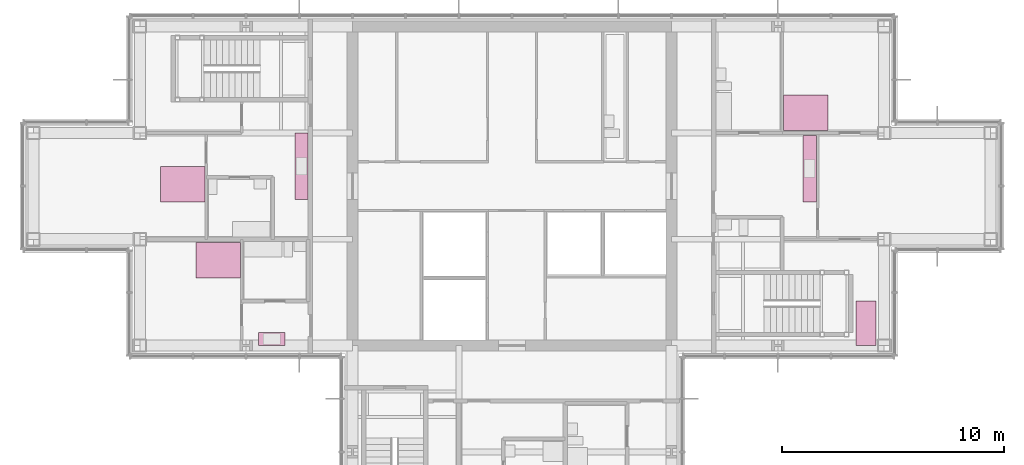
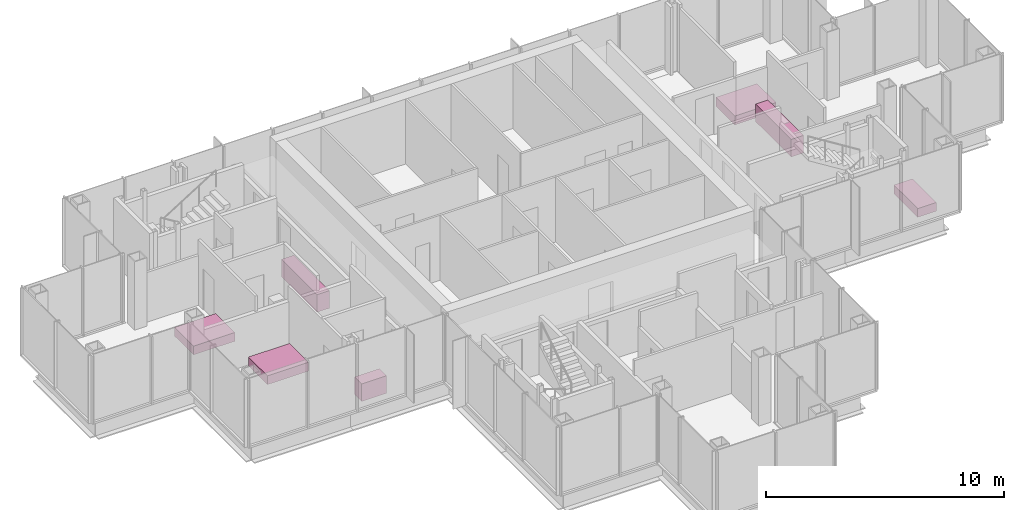
# One storey, part 15 of 15: 7 furniture elements.
"""IFC4 building model written with IfcOpenShell, lengths in metres."""

from ifc_helpers import new_model, si_unit, direction, frame, origin, origin_2d, place, context, subcontext, project, spatial, rectangle, extrude, material, type_object, element, save


model = new_model("IFC4")

# Units and contexts
model_context = context("Model", 3, precision=1e-05, world=origin(), true_north=direction((0.0, 1.0)))
body_context = subcontext(model_context, "Body", "Model", "MODEL_VIEW")
ifc_project = project(units=[si_unit("LENGTHUNIT", "METRE"), si_unit("AREAUNIT", "SQUARE_METRE"), si_unit("VOLUMEUNIT", "CUBIC_METRE"), si_unit("PLANEANGLEUNIT", "RADIAN"), si_unit("MASSUNIT", "GRAM", prefix="KILO")], contexts=[model_context])

# Site, building, storey
site_placement = place(None, origin())
site = spatial("IfcSite", under=ifc_project, at=site_placement, CompositionType="ELEMENT")
building_placement = place(site_placement, origin())
building = spatial("IfcBuilding", under=site, at=building_placement, Name="Kvirike Care Tower", CompositionType="ELEMENT")
storey_placement = place(building_placement, frame((0.0, 0.0, 212.0)))
storey = spatial("IfcBuildingStorey", under=building, at=storey_placement, Name="L58", CompositionType="ELEMENT", Elevation=212.0)

# Furniture
ifc_material_1 = material(Name="Timber", Category="wood")
furniture_type_1 = type_object("IfcFurnitureType", Name="DOUBLE BED 1600 x 2000", AssemblyPlace="FACTORY", PredefinedType="BED", material=ifc_material_1)
for number, where, z_axis, x_axis, name in (
    (1, (6.738037109375, 36.090087890625, 0.0), (0.0, 0.0, 1.0), (0.0, -1.0, 0.0), "Double bed L58-004"),
    (2, (8.337890625, 32.64990234375, 0.0), (0.0, 0.0, 1.0), (0.0, -1.0, 0.0), "Double bed L58-007"),
    (3, (34.862060546875, 39.31005859375, 0.0), (0.0, 0.0, 1.0), (0.0, 1.0, 0.0), "Double bed L58-023"),
):
    element("IfcFurniture", number, at=place(storey_placement, frame(where, z_axis=z_axis, x_axis=x_axis)), inside=storey, type_object=furniture_type_1, Name=name, PredefinedType="BED", context=body_context, shape_type="SweptSolid", body=[
        extrude(rectangle(XDim=1.60009765625, YDim=2.0, at=origin_2d()), origin(), (0.0, 0.0, 1.0), 0.449951171875),
    ])
ifc_material_2 = material(Name="Laminated board", Category="wood")
furniture_type_2 = type_object("IfcFurnitureType", Name="KITCHEN UNIT RUN 600", AssemblyPlace="FACTORY", PredefinedType="USERDEFINED", material=ifc_material_2)
furniture_1_placement = place(storey_placement, frame((12.097900390625, 36.89990234375, 0.0), z_axis=(0.0, 0.0, 1.0), x_axis=(0.0, -1.0, 0.0)))
element("IfcFurniture", 4, at=furniture_1_placement, inside=storey, type_object=furniture_type_2, Name="Kitchen unit run L58-006", ObjectType="KITCHEN UNIT", PredefinedType="USERDEFINED", context=body_context, shape_type="SweptSolid", body=[
    extrude(rectangle(XDim=3.0, YDim=0.60009765625, at=origin_2d()), origin(), (0.0, 0.0, 1.0), 0.89990234375),
])
furniture_2_placement = place(storey_placement, frame((10.75, 29.10205078125, 0.0), z_axis=(0.0, 0.0, 1.0), x_axis=(-1.0, 0.0, 0.0)))
element("IfcFurniture", 5, at=furniture_2_placement, inside=storey, type_object=furniture_type_2, Name="Kitchen unit run L58-009", ObjectType="KITCHEN UNIT", PredefinedType="USERDEFINED", context=body_context, shape_type="SweptSolid", body=[
    extrude(rectangle(XDim=1.199951171875, YDim=0.60009765625, at=origin_2d()), origin(), (0.0, 0.0, 1.0), 0.89990234375),
])
furniture_3_placement = place(storey_placement, frame((35.0380859375, 36.7900390625, 0.0), z_axis=(0.0, 0.0, 1.0), x_axis=(0.0, -1.0, 0.0)))
element("IfcFurniture", 6, at=furniture_3_placement, inside=storey, type_object=furniture_type_2, Name="Kitchen unit run L58-026", ObjectType="KITCHEN UNIT", PredefinedType="USERDEFINED", context=body_context, shape_type="SweptSolid", body=[
    extrude(rectangle(XDim=3.0, YDim=0.60009765625, at=origin_2d()), origin(), (0.0, 0.0, 1.0), 0.89990234375),
])
ifc_material_3 = material(Name="Timber", Category="wood")
furniture_type_3 = type_object("IfcFurnitureType", Name="SINGLE BED 900 x 2000", AssemblyPlace="FACTORY", PredefinedType="BED", material=ifc_material_3)
furniture_4_placement = place(storey_placement, frame((37.580078125, 29.802001953125, 0.0), z_axis=(0.0, 0.0, 1.0), x_axis=(-1.0, 0.0, 0.0)))
element("IfcFurniture", 7, at=furniture_4_placement, inside=storey, type_object=furniture_type_3, Name="Single bed L58-021", PredefinedType="BED", context=body_context, shape_type="SweptSolid", body=[
    extrude(rectangle(XDim=0.89990234375, YDim=2.0, at=origin_2d()), origin(), (0.0, 0.0, 1.0), 0.449951171875),
])

save(model, "model.ifc")
